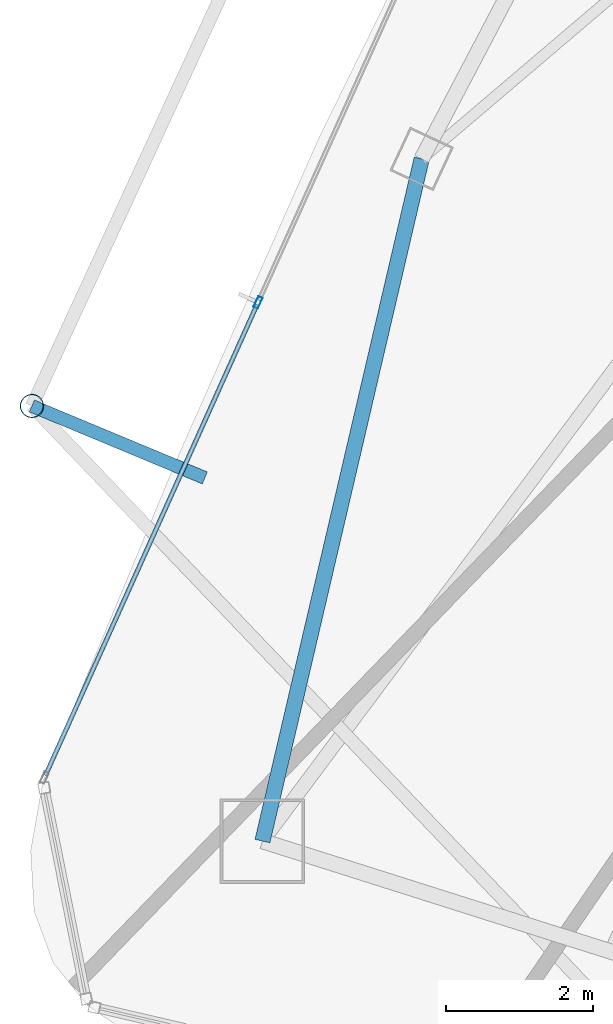
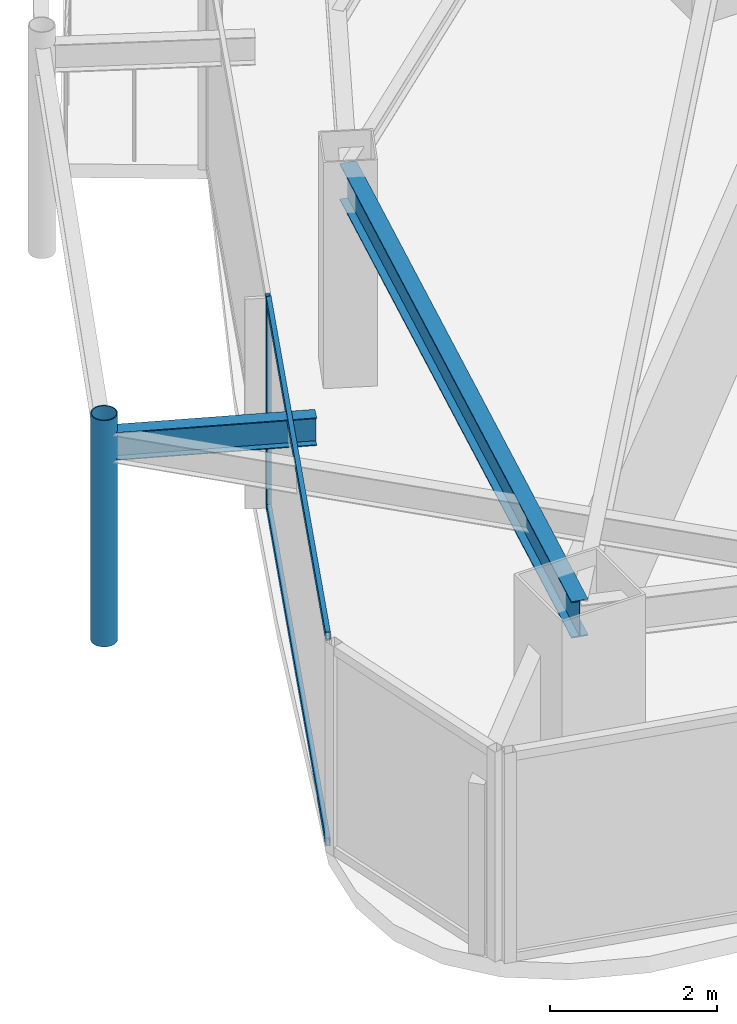
# One storey, part 5 of 28: 4 members, 2 beams, 1 element without a shape of its own.
"""IFC4 building model written with IfcOpenShell, lengths in metres."""

from ifc_helpers import new_model, si_unit, direction, frame, origin, origin_2d, place, context, subcontext, project, spatial, hollow_rectangle, hollow_circle, i_section, extrude, material, layer, layer_set, material_profile, profile_set, type_object, element, aggregate, save


model = new_model("IFC4")

# Units and contexts
model_context = context("Model", 3, precision=1e-05, world=origin(), true_north=direction((0.0, 1.0)))
body_context = subcontext(model_context, "Body", "Model", "MODEL_VIEW")
ifc_project = project(units=[si_unit("LENGTHUNIT", "METRE"), si_unit("AREAUNIT", "SQUARE_METRE"), si_unit("VOLUMEUNIT", "CUBIC_METRE"), si_unit("PLANEANGLEUNIT", "RADIAN"), si_unit("MASSUNIT", "GRAM", prefix="KILO")], contexts=[model_context])

# Site, building, storey
site_placement = place(None, origin())
site = spatial("IfcSite", under=ifc_project, at=site_placement, CompositionType="ELEMENT")
building_placement = place(site_placement, origin())
building = spatial("IfcBuilding", under=site, at=building_placement, Name="Orvanel Arch Residences", CompositionType="ELEMENT")
storey_placement = place(building_placement, frame((0.0, 0.0, 263.449951171875)))
storey = spatial("IfcBuildingStorey", under=building, at=storey_placement, Name="L75", CompositionType="ELEMENT", Elevation=263.449951171875)

# Curtain wall, member
ifc_material_1 = material(Name="Bronze-anodised aluminium AA6063-T6", Category="aluminium")
ifc_layer = layer(ifc_material_1, 0.175048828125)
ifc_layer_set = layer_set([ifc_layer], Name="Bronze-anodised aluminium AA6063-T6")
curtain_wall_type = type_object("IfcCurtainWallType", Name="CW4-HI-SYS", PredefinedType="NOTDEFINED", material=ifc_layer_set)
curtain_wall_placement = place(storey_placement, origin())
curtain_wall = element("IfcCurtainWall", 1, at=curtain_wall_placement, inside=storey, type_object=curtain_wall_type, Name="L75 CW4-HI-SYS Unitised Curtain Wall", PredefinedType="NOTDEFINED")
ifc_material_profile_1 = material_profile(ifc_material_1, hollow_rectangle(XDim=0.06494140625, YDim=0.159912109375, WallThickness=0.00390625, at=origin_2d()), Name="ALU160x65x4")
ifc_profile_set_1 = profile_set([ifc_material_profile_1], Name="Bronze-anodised aluminium AA6063-T6")
member_type_1 = type_object("IfcMemberType", Name="MUL-160x65", PredefinedType="MULLION", material=ifc_profile_set_1)
member_1_placement = place(storey_placement, frame((14.138916015625, 17.68701171875, 0.0), z_axis=(0.0, 0.0, 1.0), x_axis=(0.912050087349, -0.410078819456, 0.0)))
member_1 = element("IfcMember", 2, at=member_1_placement, type_object=member_type_1, Name="CW-S4 mullion 2", PredefinedType="MULLION", context=body_context, shape_type="SweptSolid", body=[
    extrude(hollow_rectangle(XDim=0.06494140625, YDim=0.159912109375, WallThickness=0.00390625, at=origin_2d()), origin(), (0.0, 0.0, 1.0), 3.06005859375),
])

# Beams
ifc_material_2 = material(Name="Structural steel AS/NZS 3679.1 Grade 300 (300 MPa)", Category="steel")
ifc_material_profile_2 = material_profile(ifc_material_2, i_section(OverallWidth=0.177978515625, OverallDepth=0.406005859375, WebThickness=0.0078125, FlangeThickness=0.0126953125, at=origin_2d()), Name="410UB59.7")
ifc_profile_set_2 = profile_set([ifc_material_profile_2], Name="Structural steel AS/NZS 3679.1 Grade 300 (300 MPa)")
beam_type_1 = type_object("IfcBeamType", Name="OB-410UB-EXT", PredefinedType="SPANDREL", material=ifc_profile_set_2)
beam_1_placement = place(storey_placement, frame((13.4140625, 15.297119140625, 2.85693359375), z_axis=(-0.923252396042, 0.384193978614, 0.0), x_axis=(-0.384193978614, -0.923252396042, 0.0)))
element("IfcBeam", 3, at=beam_1_placement, inside=storey, type_object=beam_type_1, Name="L75 Outer Frame Radial Tie Beam 04", PredefinedType="SPANDREL", context=body_context, shape_type="SweptSolid", body=[
    extrude(i_section(OverallWidth=0.177978515625, OverallDepth=0.406005859375, WebThickness=0.0078125, FlangeThickness=0.0126953125, at=origin_2d()), origin(), (0.0, 0.0, 1.0), 2.55078125),
])
ifc_material_profile_3 = material_profile(ifc_material_2, i_section(OverallWidth=0.208984375, OverallDepth=0.532958984375, WebThickness=0.01025390625, FlangeThickness=0.015625, at=origin_2d()), Name="530UB92.4")
ifc_profile_set_3 = profile_set([ifc_material_profile_3], Name="Structural steel AS/NZS 3679.1 Grade 300 (300 MPa)")
beam_type_2 = type_object("IfcBeamType", Name="SP-530UB", PredefinedType="SPANDREL", material=ifc_profile_set_3)
beam_2_placement = place(storey_placement, frame((16.366943359375, 19.64208984375, 2.79296875), z_axis=(-0.227236087167, -0.973839699688, 0.0), x_axis=(0.973839699688, -0.227236087167, 0.0)))
element("IfcBeam", 4, at=beam_2_placement, inside=storey, type_object=beam_type_2, Name="L75 Perimeter Spandrel Beam 01", PredefinedType="SPANDREL", context=body_context, shape_type="SweptSolid", body=[
    extrude(i_section(OverallWidth=0.208984375, OverallDepth=0.532958984375, WebThickness=0.01025390625, FlangeThickness=0.015625, at=origin_2d()), origin(), (0.0, 0.0, 1.0), 9.54052734375),
])

# Member
ifc_material_3 = material(Name="Structural steel AS/NZS 1163 C350L0 (Grade 350)", Category="steel")
ifc_material_profile_4 = material_profile(ifc_material_3, hollow_circle(Radius=0.162109375, WallThickness=0.0126953125, at=origin_2d()), Name="CHS324x12.7")
ifc_profile_set_4 = profile_set([ifc_material_profile_4], Name="Structural steel AS/NZS 1163 C350L0 (Grade 350)")
member_type_2 = type_object("IfcMemberType", Name="ST-324CHS-EXT", PredefinedType="STRUT", material=ifc_profile_set_4)
member_2_placement = place(storey_placement, frame((11.05908203125, 16.277099609375, 0.0), z_axis=(0.0, 0.0, 1.0), x_axis=(1.0, 0.0, 0.0)))
element("IfcMember", 5, at=member_2_placement, inside=storey, type_object=member_type_2, Name="L75 Outer Perimeter Frame Post 04", PredefinedType="STRUT", context=body_context, shape_type="SweptSolid", body=[
    extrude(hollow_circle(Radius=0.162109375, WallThickness=0.0126953125, at=origin_2d()), origin(), (0.0, 0.0, 1.0), 3.300048828125),
])

ifc_material_profile_5 = material_profile(ifc_material_1, hollow_rectangle(XDim=0.06005859375, YDim=0.1201171875, WallThickness=0.00341796875, at=origin_2d()), Name="ALU120x60x3.5")
ifc_profile_set_5 = profile_set([ifc_material_profile_5], Name="Bronze-anodised aluminium AA6063-T6")
member_type_3 = type_object("IfcMemberType", Name="TRN-120x60", PredefinedType="USERDEFINED", material=ifc_profile_set_5)
member_3_placement = place(storey_placement, frame((14.125732421875, 17.657470703125, 0.030029296875), z_axis=(-0.410081649898, -0.912048814712, 0.0), x_axis=(0.912048814712, -0.410081649898, 0.0)))
member_3 = element("IfcMember", 6, at=member_3_placement, type_object=member_type_3, Name="CW-S4 transom 2.1", ObjectType="TRANSOM", PredefinedType="USERDEFINED", context=body_context, shape_type="SweptSolid", body=[
    extrude(hollow_rectangle(XDim=0.06005859375, YDim=0.1201171875, WallThickness=0.00341796875, at=origin_2d()), origin(), (0.0, 0.0, 1.0), 7.030517578125),
])

member_4_placement = place(storey_placement, frame((14.125732421875, 17.657470703125, 3.030029296875), z_axis=(-0.410081649898, -0.912048814712, 0.0), x_axis=(0.912048814712, -0.410081649898, 0.0)))
member_4 = element("IfcMember", 7, at=member_4_placement, type_object=member_type_3, Name="CW-S4 transom 2.2", ObjectType="TRANSOM", PredefinedType="USERDEFINED", context=body_context, shape_type="SweptSolid", body=[
    extrude(hollow_rectangle(XDim=0.06005859375, YDim=0.1201171875, WallThickness=0.00341796875, at=origin_2d()), origin(), (0.0, 0.0, 1.0), 7.030517578125),
])

aggregate(curtain_wall, [member_1, member_3, member_4])

save(model, "model.ifc")
